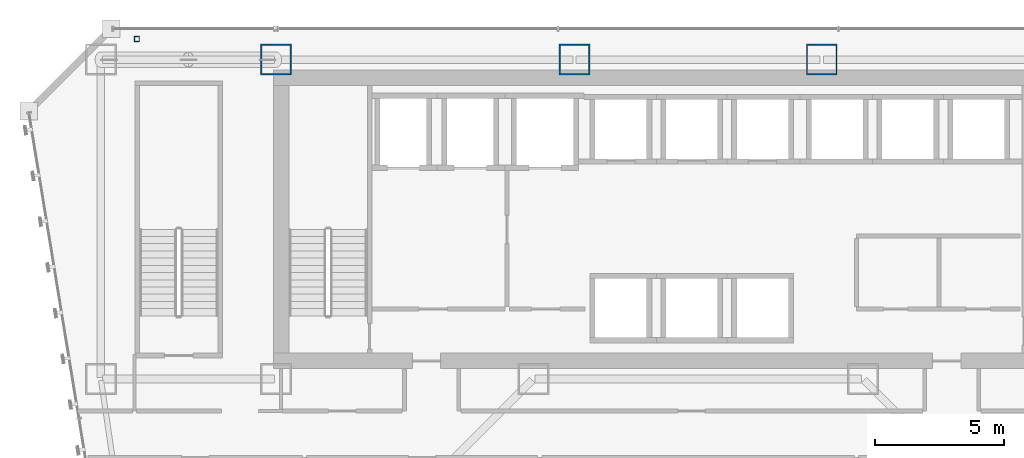
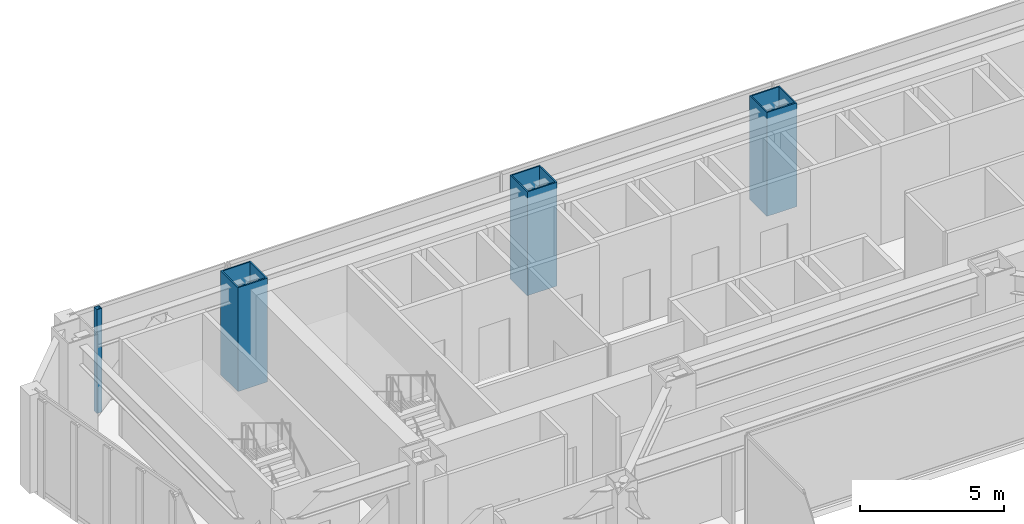
# One storey, part 2 of 47: 4 columns.
"""IFC4 building model written with IfcOpenShell, lengths in metres."""

import ifcopenshell
import ifcopenshell.guid

model = None  # the IFC model being written
_history = None  # IfcOwnerHistory: only IFC2X3 demands one
_inside = {}  # id of a spatial element -> (the spatial element, [elements in it])
_under = {}  # id of a project, library or spatial element -> (it, [spatial elements below it])
_declared = {}  # id of a project -> (the project, [libraries it declares])
_typed = {}  # id of a type object -> (the type object, [elements of that type])
_made_of = {}  # id of a material, layer set ... -> (it, [elements and type objects made of it])


def new_model(schema):
    """Start an empty IFC model of exactly this schema.

    Asked for "IFC4X3", IfcOpenShell would pick the latest addendum, in which some entities
    have other attributes; the version numbers below select the first issue.
    IFC2X3 requires an IfcOwnerHistory on every rooted entity: one is made here for all.
    """
    global model, _history
    if schema == "IFC4X3":
        model = ifcopenshell.file(schema_version=(4, 3, 0, 0))
    else:
        model = ifcopenshell.file(schema=schema)
    _inside.clear()
    _under.clear()
    _declared.clear()
    _typed.clear()
    _made_of.clear()
    _history = None
    if model.schema == "IFC2X3":
        org = make("IfcOrganization", Name="unknown")
        user = make(
            "IfcPersonAndOrganization",
            ThePerson=make("IfcPerson", FamilyName="unknown"),
            TheOrganization=org,
        )
        app = make(
            "IfcApplication",
            ApplicationDeveloper=org,
            Version="unknown",
            ApplicationFullName="unknown",
            ApplicationIdentifier="unknown",
        )
        _history = make(
            "IfcOwnerHistory",
            OwningUser=user,
            OwningApplication=app,
            ChangeAction="ADDED",
            CreationDate=0,
        )
    return model


def make(cls, **values):
    """One entity of the class cls with the attributes given. An attribute that is None is left unset."""
    return model.create_entity(
        cls, **{name: value for name, value in values.items() if value is not None}
    )


def rooted(cls, **values):
    """An entity with a GlobalId (a new one), such as an element, a storey or a relation."""
    return make(cls, GlobalId=ifcopenshell.guid.new(), OwnerHistory=_history, **values)


def si_unit(unit_type, name, prefix=None):
    """IfcSIUnit, for example si_unit("LENGTHUNIT", "METRE", prefix="MILLI")."""
    return make("IfcSIUnit", UnitType=unit_type, Prefix=prefix, Name=name)


def assignment(units):
    """IfcUnitAssignment: the units of a project."""
    return None if units is None else make("IfcUnitAssignment", Units=units)


def point(xyz):
    """IfcCartesianPoint."""
    return None if xyz is None else make("IfcCartesianPoint", Coordinates=xyz)


def direction(xyz):
    """IfcDirection."""
    return None if xyz is None else make("IfcDirection", DirectionRatios=xyz)


def frame(location, z_axis=None, x_axis=None):
    """IfcAxis2Placement3D, a coordinate frame: its origin and axes. An axis left out is left unset."""
    return make(
        "IfcAxis2Placement3D",
        Location=point(location),
        Axis=direction(z_axis),
        RefDirection=direction(x_axis),
    )


def frame_2d(location, x_axis=None):
    """IfcAxis2Placement2D, a coordinate frame in the plane: its origin and x axis."""
    return make(
        "IfcAxis2Placement2D", Location=point(location), RefDirection=direction(x_axis)
    )


def origin():
    """The frame at (0, 0, 0) with its axes left unset."""
    return frame((0.0, 0.0, 0.0))


def origin_2d():
    """The frame at (0, 0) in the plane with its x axis left unset."""
    return frame_2d((0.0, 0.0))


def place(relative_to, where):
    """IfcLocalPlacement: puts the frame where relative to a parent placement (None: the world)."""
    return make(
        "IfcLocalPlacement", PlacementRelTo=relative_to, RelativePlacement=where
    )


def context(
    kind, dimensions, precision=None, world=None, true_north=None, identifier=None
):
    """IfcGeometricRepresentationContext, for example the 3D "Model" context."""
    return make(
        "IfcGeometricRepresentationContext",
        ContextIdentifier=identifier,
        ContextType=kind,
        CoordinateSpaceDimension=dimensions,
        Precision=precision,
        WorldCoordinateSystem=world,
        TrueNorth=true_north,
    )


def subcontext(parent, identifier, kind, view, scale=None):
    """IfcGeometricRepresentationSubContext, for example "Body" below "Model"."""
    return make(
        "IfcGeometricRepresentationSubContext",
        ContextIdentifier=identifier,
        ContextType=kind,
        ParentContext=parent,
        TargetScale=scale,
        TargetView=view,
    )


def project(units=None, contexts=None):
    """IfcProject with its units and contexts."""
    return rooted(
        "IfcProject",
        Name="project",
        RepresentationContexts=contexts,
        UnitsInContext=assignment(units),
    )


def spatial(cls, under=None, at=None, **own):
    """A site, building, storey or space (cls), placed at a placement, below another one or the project."""
    s = rooted(cls, ObjectPlacement=at, **own)
    if under is not None:
        _under.setdefault(under.id(), (under, []))[1].append(s)
    return s


def profile(cls, at=None, kind="AREA", **sizes):
    """A parametric profile (cls). Its sizes go by their IFC names, for example OverallWidth=200.0."""
    return make(cls, ProfileType=kind, Position=at, **sizes)


def hollow_rectangle(**sizes):
    """IfcRectangleHollowProfileDef."""
    return profile("IfcRectangleHollowProfileDef", **sizes)


def extrude(swept, where, along, depth):
    """IfcExtrudedAreaSolid: the profile swept, set in the frame where, extruded along a direction by depth."""
    return make(
        "IfcExtrudedAreaSolid",
        SweptArea=swept,
        Position=where,
        ExtrudedDirection=direction(along),
        Depth=depth,
    )


def shape(context_of_items, identifier, shape_type, items):
    """IfcShapeRepresentation: the items that make up one representation, for example the "Body"."""
    return make(
        "IfcShapeRepresentation",
        ContextOfItems=context_of_items,
        RepresentationIdentifier=identifier,
        RepresentationType=shape_type,
        Items=items,
    )


def material(Name=None, Category=None):
    """IfcMaterial."""
    return make("IfcMaterial", Name=Name, Category=Category)


def material_profile(
    of_material, cross_section, Name=None, Category=None, Priority=None
):
    """IfcMaterialProfile: a cross section and its material."""
    return make(
        "IfcMaterialProfile",
        Name=Name,
        Material=of_material,
        Profile=cross_section,
        Priority=Priority,
        Category=Category,
    )


def profile_set(profiles, Name=None, composite=None):
    """IfcMaterialProfileSet."""
    return make(
        "IfcMaterialProfileSet",
        Name=Name,
        MaterialProfiles=profiles,
        CompositeProfile=composite,
    )


def made_of(thing, what):
    """Note that an element or type object is made of a material, layer set ...; save() writes the relation."""
    if what is not None:
        _made_of.setdefault(what.id(), (what, []))[1].append(thing)
    return thing


def type_object(cls, material=None, **own):
    """A type object (cls), such as IfcWallType, which elements share."""
    return made_of(rooted(cls, **own), material)


def element(
    cls,
    number,
    at=None,
    inside=None,
    cuts=None,
    type_object=None,
    material=None,
    context=None,
    identifier="Body",
    shape_type=None,
    held_by="IfcProductDefinitionShape",
    body=None,
    shapes=None,
    **own,
):
    """One element of the class cls, such as IfcWall. Its Tag is "e" and its number.

    at: its placement. inside: the storey or other place that contains it. cuts: it is an
    opening in that element (IfcRelVoidsElement). A single representation is given by context,
    identifier, shape_type and body (its items); several are given by shapes. held_by: the class
    of the entity that holds the representations. save() writes the other relations.
    """
    e = rooted(cls, Tag="e%d" % number, ObjectPlacement=at, **own)
    if body is not None:
        shapes = [shape(context, identifier, shape_type, body)]
    if shapes is not None:
        e.Representation = make(held_by, Representations=shapes)
    if inside is not None:
        _inside.setdefault(inside.id(), (inside, []))[1].append(e)
    if cuts is not None:
        rooted(
            "IfcRelVoidsElement", RelatingBuildingElement=cuts, RelatedOpeningElement=e
        )
    if type_object is not None:
        _typed.setdefault(type_object.id(), (type_object, []))[1].append(e)
    return made_of(e, material)


def aggregate(whole, parts):
    """IfcRelAggregates: a whole, such as a stair, and the parts it consists of."""
    return rooted("IfcRelAggregates", RelatingObject=whole, RelatedObjects=parts)


def save(model, path):
    """Write the relations noted so far, then the file.

    IfcRelAggregates (storeys below a building ...), IfcRelContainedInSpatialStructure (elements
    in a storey), IfcRelDefinesByType, IfcRelAssociatesMaterial and IfcRelDeclares: one each for
    every whole, place, type object, material and project.
    """
    for whole, parts in _under.values():
        aggregate(whole, parts)
    for where, things in _inside.values():
        rooted(
            "IfcRelContainedInSpatialStructure",
            RelatedElements=things,
            RelatingStructure=where,
        )
    for kind, things in _typed.values():
        rooted("IfcRelDefinesByType", RelatedObjects=things, RelatingType=kind)
    for what, things in _made_of.values():
        rooted("IfcRelAssociatesMaterial", RelatedObjects=things, RelatingMaterial=what)
    for by, libraries in _declared.values():
        rooted("IfcRelDeclares", RelatingContext=by, RelatedDefinitions=libraries)
    model.write(path)


model = new_model("IFC4")

# Units and contexts
model_context = context("Model", 3, precision=1e-05, world=origin(), true_north=direction((0.0, 1.0)))
body_context = subcontext(model_context, "Body", "Model", "MODEL_VIEW")
ifc_project = project(units=[si_unit("LENGTHUNIT", "METRE"), si_unit("AREAUNIT", "SQUARE_METRE"), si_unit("VOLUMEUNIT", "CUBIC_METRE"), si_unit("PLANEANGLEUNIT", "RADIAN"), si_unit("MASSUNIT", "GRAM", prefix="KILO")], contexts=[model_context])

# Site, building, storey
site_placement = place(None, origin())
site = spatial("IfcSite", under=ifc_project, at=site_placement, CompositionType="ELEMENT")
building_placement = place(site_placement, origin())
building = spatial("IfcBuilding", under=site, at=building_placement, Name="Saevonmaru Cultural Tower", CompositionType="ELEMENT")
storey_placement = place(building_placement, frame((0.0, 0.0, 64.800048828125)))
storey = spatial("IfcBuildingStorey", under=building, at=storey_placement, Name="L13", CompositionType="ELEMENT", Elevation=64.800048828125)

# Columns
ifc_material_1 = material(Name="Steel HSA600 (600 MPa)", Category="steel")
ifc_material_profile_1 = material_profile(ifc_material_1, hollow_rectangle(XDim=1.199951171875, YDim=1.199951171875, WallThickness=0.054931640625, at=origin_2d()), Name="BOX-1200x1200x55")
ifc_profile_set_1 = profile_set([ifc_material_profile_1], Name="Steel HSA600 (600 MPa)")
column_type_1 = type_object("IfcColumnType", Name="COL-BOX-1200", PredefinedType="COLUMN", material=ifc_profile_set_1)
for number, where, z_axis, x_axis, name in (
    (1, (13.60009765625, 54.800048828125, 0.0), (0.0, 0.0, 1.0), (1.0, 0.0, 0.0), "L13 Column TC-N2N"),
    (2, (25.199951171875, 54.800048828125, 0.0), (0.0, 0.0, 1.0), (1.0, 0.0, 0.0), "L13 Column TC-N3N"),
    (3, (34.800048828125, 54.800048828125, 0.0), (0.0, 0.0, 1.0), (1.0, 0.0, 0.0), "L13 Column TC-N4N"),
):
    element("IfcColumn", number, at=place(storey_placement, frame(where, z_axis=z_axis, x_axis=x_axis)), inside=storey, type_object=column_type_1, Name=name, PredefinedType="COLUMN", context=body_context, shape_type="SweptSolid", body=[
        extrude(hollow_rectangle(XDim=1.199951171875, YDim=1.199951171875, WallThickness=0.054931640625, at=origin_2d()), origin(), (0.0, 0.0, 1.0), 4.39990234375),
    ])
ifc_material_2 = material(Name="Steel SM355", Category="steel")
ifc_material_profile_2 = material_profile(ifc_material_2, hollow_rectangle(XDim=0.199951171875, YDim=0.199951171875, WallThickness=0.010009765625, at=origin_2d()), Name="SHS-200x200x10")
ifc_profile_set_2 = profile_set([ifc_material_profile_2], Name="Steel SM355")
column_type_2 = type_object("IfcColumnType", Name="PIL-SHS-200", PredefinedType="PILASTER", material=ifc_profile_set_2)
column_placement = place(storey_placement, frame((8.199951171875, 55.60009765625, 0.0), z_axis=(0.0, 0.0, 1.0), x_axis=(1.0, 0.0, 0.0)))
element("IfcColumn", 4, at=column_placement, inside=storey, type_object=column_type_2, Name="L13 Art Deco Bronze-Clad Pilaster PIL-NW", PredefinedType="PILASTER", context=body_context, shape_type="SweptSolid", body=[
    extrude(hollow_rectangle(XDim=0.199951171875, YDim=0.199951171875, WallThickness=0.010009765625, at=origin_2d()), origin(), (0.0, 0.0, 1.0), 4.39990234375),
])

save(model, "model.ifc")
